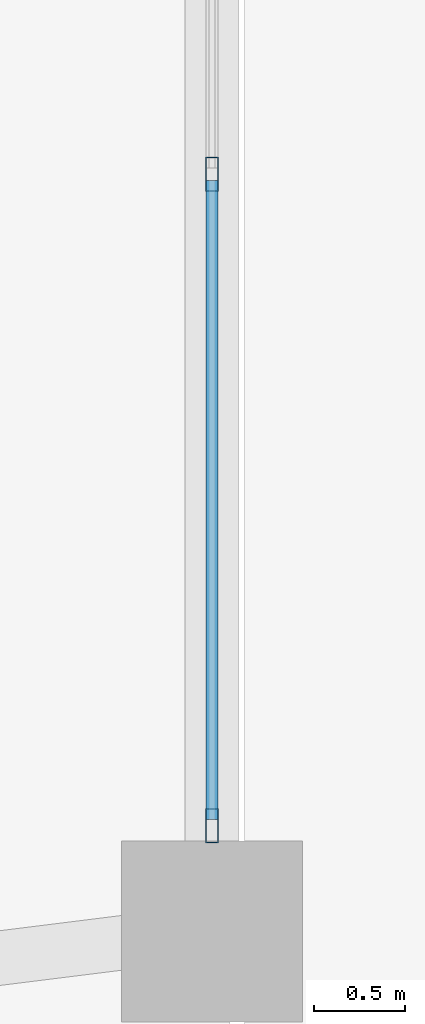
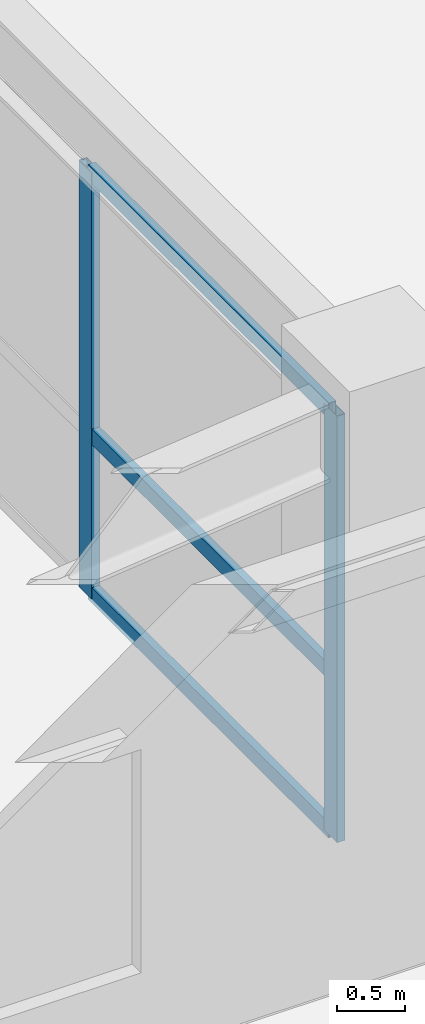
# One storey, part 5 of 40: 5 members, 1 element without a shape of its own.
"""IFC4 building model written with IfcOpenShell, lengths in metres."""

from ifc_helpers import new_model, si_unit, derived_unit, direction, frame, origin, origin_2d, place, context, subcontext, project, spatial, hollow_rectangle, extrude, source, transform, mapped, material, layer, layer_set, material_profile, profile_set, type_object, element, aggregate, save


model = new_model("IFC4")

# Units and contexts
model_context = context("Model", 3, precision=1e-05, world=origin(), true_north=direction((0.0, 1.0)))
body_context = subcontext(model_context, "Body", "Model", "MODEL_VIEW")
ifc_project = project(units=[si_unit("LENGTHUNIT", "METRE"), si_unit("AREAUNIT", "SQUARE_METRE"), si_unit("VOLUMEUNIT", "CUBIC_METRE"), si_unit("PLANEANGLEUNIT", "RADIAN"), si_unit("MASSUNIT", "GRAM", prefix="KILO"), derived_unit("THERMALTRANSMITTANCEUNIT", [(si_unit("POWERUNIT", "WATT"), 1), (si_unit("LENGTHUNIT", "METRE"), -2), (si_unit("THERMODYNAMICTEMPERATUREUNIT", "KELVIN"), -1)])], contexts=[model_context])

# Site, building, storey
site_placement = place(None, origin())
site = spatial("IfcSite", under=ifc_project, at=site_placement, CompositionType="ELEMENT")
building_placement = place(site_placement, origin())
building = spatial("IfcBuilding", under=site, at=building_placement, Name="Korsvarv Bourse and Concert Hall", CompositionType="ELEMENT")
storey_placement = place(building_placement, origin())
storey = spatial("IfcBuildingStorey", under=building, at=storey_placement, Name="L00", CompositionType="ELEMENT", Elevation=0.0)

# Curtain wall, members
ifc_material_1 = material(Name="Anodised aluminium and triple low-E glazing", Category="glass")
ifc_layer = layer(ifc_material_1, 0.239990234375)
ifc_layer_set = layer_set([ifc_layer], Name="Anodised aluminium and triple low-E glazing")
curtain_wall_type = type_object("IfcCurtainWallType", Name="CW-SYS-5", PredefinedType="NOTDEFINED", material=ifc_layer_set)
curtain_wall_placement = place(storey_placement, origin())
curtain_wall = element("IfcCurtainWall", 1, at=curtain_wall_placement, inside=storey, type_object=curtain_wall_type, Name="L00 CW5 curtain wall CW-L00-E1", PredefinedType="NOTDEFINED")
ifc_material_2 = material(Name="Extruded aluminium EN AW-6063 T66", Category="aluminium")
ifc_material_profile_1 = material_profile(ifc_material_2, hollow_rectangle(XDim=0.070068359375, YDim=0.18994140625, WallThickness=0.0048828125, at=origin_2d()), Name="ALU-M 70x190")
ifc_profile_set_1 = profile_set([ifc_material_profile_1], Name="Extruded aluminium EN AW-6063 T66")
member_type_1 = type_object("IfcMemberType", Name="CWM-190", PredefinedType="MULLION", material=ifc_profile_set_1)
shared_shape_1 = source(origin(), body_context, "Body", "SweptSolid", [
    extrude(hollow_rectangle(XDim=0.070068359375, YDim=0.18994140625, WallThickness=0.0048828125, at=origin_2d()), origin(), (0.0, 0.0, 1.0), 3.820068359375),
])
member_1_placement = place(storey_placement, frame((66.0, 4.5849609375, 0.0), z_axis=(0.0, 0.0, 1.0), x_axis=(-1.0, 0.0, 0.0)))
member_1 = element("IfcMember", 2, at=member_1_placement, type_object=member_type_1, Name="CW5 mullion 1", PredefinedType="MULLION", context=body_context, shape_type="MappedRepresentation", body=[
    mapped(shared_shape_1, transform((0.0, 0.0, 0.0), scale=1.0)),
])
member_2_placement = place(storey_placement, frame((66.0, 8.183349609375, 0.0), z_axis=(0.0, 0.0, 1.0), x_axis=(-1.0, 0.0, 0.0)))
member_2 = element("IfcMember", 3, at=member_2_placement, type_object=member_type_1, Name="CW5 mullion 2", PredefinedType="MULLION", context=body_context, shape_type="MappedRepresentation", body=[
    mapped(shared_shape_1, transform((0.0, 0.0, 0.0), scale=1.0)),
])
ifc_material_profile_2 = material_profile(ifc_material_2, hollow_rectangle(XDim=0.06494140625, YDim=0.139892578125, WallThickness=0.00390625, at=origin_2d()), Name="ALU-T 65x140")
ifc_profile_set_2 = profile_set([ifc_material_profile_2], Name="Extruded aluminium EN AW-6063 T66")
member_type_2 = type_object("IfcMemberType", Name="CWT-140", PredefinedType="USERDEFINED", material=ifc_profile_set_2)
shared_shape_2 = source(origin(), body_context, "Body", "SweptSolid", [
    extrude(hollow_rectangle(XDim=0.06494140625, YDim=0.139892578125, WallThickness=0.00390625, at=origin_2d()), origin(), (0.0, 0.0, 1.0), 3.5283203125),
])
member_3_placement = place(storey_placement, frame((66.0, 4.6201171875, 0.032470703125), z_axis=(0.0, 1.0, 0.0), x_axis=(-1.0, 0.0, 0.0)))
member_3 = element("IfcMember", 4, at=member_3_placement, type_object=member_type_2, Name="CW5 transom 1.1", ObjectType="TRANSOM", PredefinedType="USERDEFINED", context=body_context, shape_type="MappedRepresentation", body=[
    mapped(shared_shape_2, transform((0.0, 0.0, 0.0), scale=1.0)),
])
member_4_placement = place(storey_placement, frame((66.0, 4.6201171875, 1.45166015625), z_axis=(0.0, 1.0, 0.0), x_axis=(-1.0, 0.0, 0.0)))
member_4 = element("IfcMember", 5, at=member_4_placement, type_object=member_type_2, Name="CW5 transom 1.2", ObjectType="TRANSOM", PredefinedType="USERDEFINED", context=body_context, shape_type="MappedRepresentation", body=[
    mapped(shared_shape_2, transform((0.0, 0.0, 0.0), scale=1.0)),
])
member_5_placement = place(storey_placement, frame((66.0, 4.6201171875, 3.78759765625), z_axis=(0.0, 1.0, 0.0), x_axis=(-1.0, 0.0, 0.0)))
member_5 = element("IfcMember", 6, at=member_5_placement, type_object=member_type_2, Name="CW5 transom 1.3", ObjectType="TRANSOM", PredefinedType="USERDEFINED", context=body_context, shape_type="MappedRepresentation", body=[
    mapped(shared_shape_2, transform((0.0, 0.0, 0.0), scale=1.0)),
])
aggregate(curtain_wall, [member_1, member_2, member_3, member_4, member_5])

save(model, "model.ifc")
